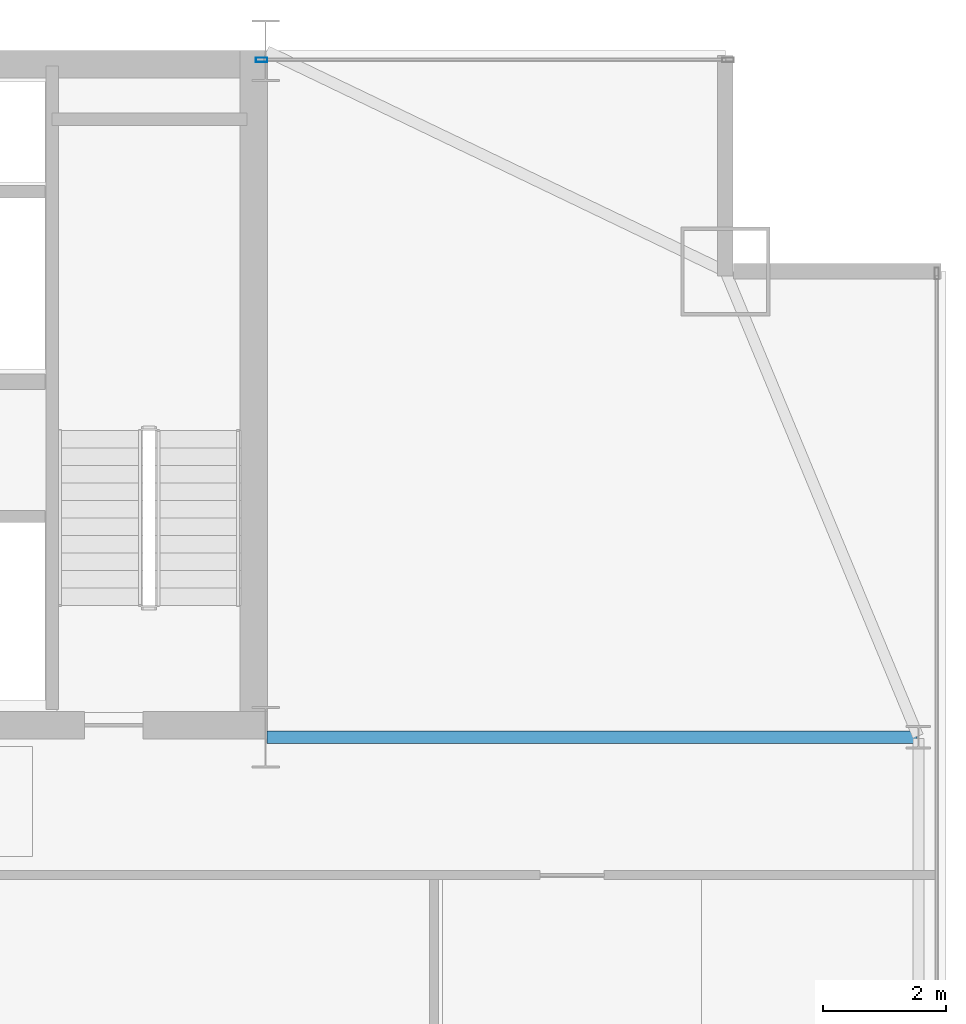
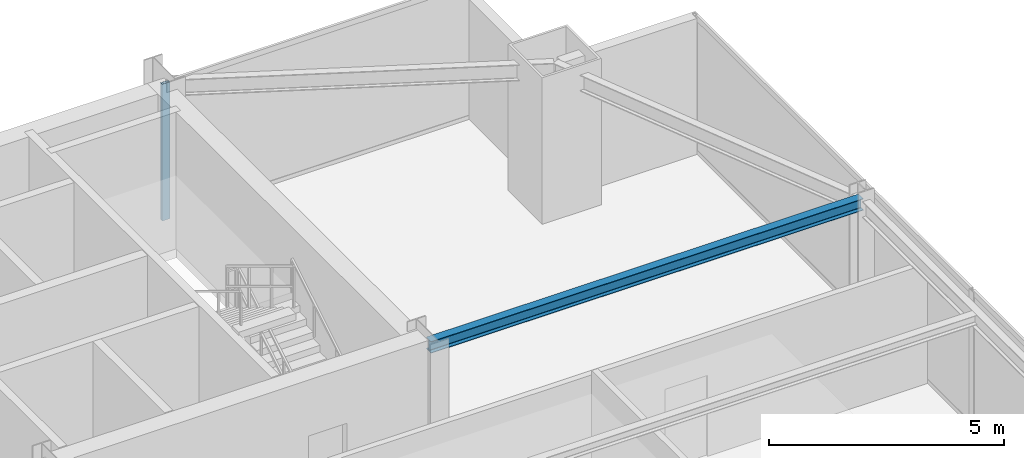
# One storey, part 24 of 37: 1 beam, 1 member, 1 element without a shape of its own.
"""IFC4 building model written with IfcOpenShell, lengths in metres."""

import ifcopenshell
import ifcopenshell.guid

model = None  # the IFC model being written
_history = None  # IfcOwnerHistory: only IFC2X3 demands one
_inside = {}  # id of a spatial element -> (the spatial element, [elements in it])
_under = {}  # id of a project, library or spatial element -> (it, [spatial elements below it])
_declared = {}  # id of a project -> (the project, [libraries it declares])
_typed = {}  # id of a type object -> (the type object, [elements of that type])
_made_of = {}  # id of a material, layer set ... -> (it, [elements and type objects made of it])


def new_model(schema):
    """Start an empty IFC model of exactly this schema.

    Asked for "IFC4X3", IfcOpenShell would pick the latest addendum, in which some entities
    have other attributes; the version numbers below select the first issue.
    IFC2X3 requires an IfcOwnerHistory on every rooted entity: one is made here for all.
    """
    global model, _history
    if schema == "IFC4X3":
        model = ifcopenshell.file(schema_version=(4, 3, 0, 0))
    else:
        model = ifcopenshell.file(schema=schema)
    _inside.clear()
    _under.clear()
    _declared.clear()
    _typed.clear()
    _made_of.clear()
    _history = None
    if model.schema == "IFC2X3":
        org = make("IfcOrganization", Name="unknown")
        user = make(
            "IfcPersonAndOrganization",
            ThePerson=make("IfcPerson", FamilyName="unknown"),
            TheOrganization=org,
        )
        app = make(
            "IfcApplication",
            ApplicationDeveloper=org,
            Version="unknown",
            ApplicationFullName="unknown",
            ApplicationIdentifier="unknown",
        )
        _history = make(
            "IfcOwnerHistory",
            OwningUser=user,
            OwningApplication=app,
            ChangeAction="ADDED",
            CreationDate=0,
        )
    return model


def make(cls, **values):
    """One entity of the class cls with the attributes given. An attribute that is None is left unset."""
    return model.create_entity(
        cls, **{name: value for name, value in values.items() if value is not None}
    )


def rooted(cls, **values):
    """An entity with a GlobalId (a new one), such as an element, a storey or a relation."""
    return make(cls, GlobalId=ifcopenshell.guid.new(), OwnerHistory=_history, **values)


def si_unit(unit_type, name, prefix=None):
    """IfcSIUnit, for example si_unit("LENGTHUNIT", "METRE", prefix="MILLI")."""
    return make("IfcSIUnit", UnitType=unit_type, Prefix=prefix, Name=name)


def assignment(units):
    """IfcUnitAssignment: the units of a project."""
    return None if units is None else make("IfcUnitAssignment", Units=units)


def point(xyz):
    """IfcCartesianPoint."""
    return None if xyz is None else make("IfcCartesianPoint", Coordinates=xyz)


def direction(xyz):
    """IfcDirection."""
    return None if xyz is None else make("IfcDirection", DirectionRatios=xyz)


def frame(location, z_axis=None, x_axis=None):
    """IfcAxis2Placement3D, a coordinate frame: its origin and axes. An axis left out is left unset."""
    return make(
        "IfcAxis2Placement3D",
        Location=point(location),
        Axis=direction(z_axis),
        RefDirection=direction(x_axis),
    )


def frame_2d(location, x_axis=None):
    """IfcAxis2Placement2D, a coordinate frame in the plane: its origin and x axis."""
    return make(
        "IfcAxis2Placement2D", Location=point(location), RefDirection=direction(x_axis)
    )


def origin():
    """The frame at (0, 0, 0) with its axes left unset."""
    return frame((0.0, 0.0, 0.0))


def origin_2d():
    """The frame at (0, 0) in the plane with its x axis left unset."""
    return frame_2d((0.0, 0.0))


def place(relative_to, where):
    """IfcLocalPlacement: puts the frame where relative to a parent placement (None: the world)."""
    return make(
        "IfcLocalPlacement", PlacementRelTo=relative_to, RelativePlacement=where
    )


def context(
    kind, dimensions, precision=None, world=None, true_north=None, identifier=None
):
    """IfcGeometricRepresentationContext, for example the 3D "Model" context."""
    return make(
        "IfcGeometricRepresentationContext",
        ContextIdentifier=identifier,
        ContextType=kind,
        CoordinateSpaceDimension=dimensions,
        Precision=precision,
        WorldCoordinateSystem=world,
        TrueNorth=true_north,
    )


def subcontext(parent, identifier, kind, view, scale=None):
    """IfcGeometricRepresentationSubContext, for example "Body" below "Model"."""
    return make(
        "IfcGeometricRepresentationSubContext",
        ContextIdentifier=identifier,
        ContextType=kind,
        ParentContext=parent,
        TargetScale=scale,
        TargetView=view,
    )


def project(units=None, contexts=None):
    """IfcProject with its units and contexts."""
    return rooted(
        "IfcProject",
        Name="project",
        RepresentationContexts=contexts,
        UnitsInContext=assignment(units),
    )


def spatial(cls, under=None, at=None, **own):
    """A site, building, storey or space (cls), placed at a placement, below another one or the project."""
    s = rooted(cls, ObjectPlacement=at, **own)
    if under is not None:
        _under.setdefault(under.id(), (under, []))[1].append(s)
    return s


def profile(cls, at=None, kind="AREA", **sizes):
    """A parametric profile (cls). Its sizes go by their IFC names, for example OverallWidth=200.0."""
    return make(cls, ProfileType=kind, Position=at, **sizes)


def hollow_rectangle(**sizes):
    """IfcRectangleHollowProfileDef."""
    return profile("IfcRectangleHollowProfileDef", **sizes)


def i_section(**sizes):
    """IfcIShapeProfileDef."""
    return profile("IfcIShapeProfileDef", **sizes)


def extrude(swept, where, along, depth):
    """IfcExtrudedAreaSolid: the profile swept, set in the frame where, extruded along a direction by depth."""
    return make(
        "IfcExtrudedAreaSolid",
        SweptArea=swept,
        Position=where,
        ExtrudedDirection=direction(along),
        Depth=depth,
    )


def shape(context_of_items, identifier, shape_type, items):
    """IfcShapeRepresentation: the items that make up one representation, for example the "Body"."""
    return make(
        "IfcShapeRepresentation",
        ContextOfItems=context_of_items,
        RepresentationIdentifier=identifier,
        RepresentationType=shape_type,
        Items=items,
    )


def source(mapping_origin, context_of_items, identifier, shape_type, items):
    """IfcRepresentationMap: a shape defined once, which mapped items show again and again."""
    return make(
        "IfcRepresentationMap",
        MappingOrigin=mapping_origin,
        MappedRepresentation=shape(context_of_items, identifier, shape_type, items),
    )


def transform(
    local_origin,
    x_axis=None,
    y_axis=None,
    z_axis=None,
    scale=None,
    scale2=None,
    scale3=None,
    uniform=True,
):
    """IfcCartesianTransformationOperator3D, or its non-uniform kind. x_axis, y_axis, z_axis: its Axis1, 2, 3."""
    if uniform:
        return make(
            "IfcCartesianTransformationOperator3D",
            Axis1=direction(x_axis),
            Axis2=direction(y_axis),
            LocalOrigin=point(local_origin),
            Scale=scale,
            Axis3=direction(z_axis),
        )
    return make(
        "IfcCartesianTransformationOperator3DnonUniform",
        Axis1=direction(x_axis),
        Axis2=direction(y_axis),
        LocalOrigin=point(local_origin),
        Scale=scale,
        Axis3=direction(z_axis),
        Scale2=scale2,
        Scale3=scale3,
    )


def mapped(mapping_source, mapping_target):
    """IfcMappedItem: shows the shape of a source again, moved by a transform."""
    return make(
        "IfcMappedItem", MappingSource=mapping_source, MappingTarget=mapping_target
    )


def material(Name=None, Category=None):
    """IfcMaterial."""
    return make("IfcMaterial", Name=Name, Category=Category)


def layer(
    of_material, thickness, ventilated=None, Name=None, Category=None, Priority=None
):
    """IfcMaterialLayer: one layer of a wall or slab, of a material (None: an air gap)."""
    return make(
        "IfcMaterialLayer",
        Material=of_material,
        LayerThickness=thickness,
        IsVentilated=ventilated,
        Name=Name,
        Category=Category,
        Priority=Priority,
    )


def layer_set(layers, Name=None):
    """IfcMaterialLayerSet."""
    return make("IfcMaterialLayerSet", MaterialLayers=layers, LayerSetName=Name)


def material_profile(
    of_material, cross_section, Name=None, Category=None, Priority=None
):
    """IfcMaterialProfile: a cross section and its material."""
    return make(
        "IfcMaterialProfile",
        Name=Name,
        Material=of_material,
        Profile=cross_section,
        Priority=Priority,
        Category=Category,
    )


def profile_set(profiles, Name=None, composite=None):
    """IfcMaterialProfileSet."""
    return make(
        "IfcMaterialProfileSet",
        Name=Name,
        MaterialProfiles=profiles,
        CompositeProfile=composite,
    )


def made_of(thing, what):
    """Note that an element or type object is made of a material, layer set ...; save() writes the relation."""
    if what is not None:
        _made_of.setdefault(what.id(), (what, []))[1].append(thing)
    return thing


def type_object(cls, material=None, **own):
    """A type object (cls), such as IfcWallType, which elements share."""
    return made_of(rooted(cls, **own), material)


def type_shapes(of_type, sources):
    """Give a type object the sources (RepresentationMaps) that its elements show as mapped items."""
    of_type.RepresentationMaps = sources


def element(
    cls,
    number,
    at=None,
    inside=None,
    cuts=None,
    type_object=None,
    material=None,
    context=None,
    identifier="Body",
    shape_type=None,
    held_by="IfcProductDefinitionShape",
    body=None,
    shapes=None,
    **own,
):
    """One element of the class cls, such as IfcWall. Its Tag is "e" and its number.

    at: its placement. inside: the storey or other place that contains it. cuts: it is an
    opening in that element (IfcRelVoidsElement). A single representation is given by context,
    identifier, shape_type and body (its items); several are given by shapes. held_by: the class
    of the entity that holds the representations. save() writes the other relations.
    """
    e = rooted(cls, Tag="e%d" % number, ObjectPlacement=at, **own)
    if body is not None:
        shapes = [shape(context, identifier, shape_type, body)]
    if shapes is not None:
        e.Representation = make(held_by, Representations=shapes)
    if inside is not None:
        _inside.setdefault(inside.id(), (inside, []))[1].append(e)
    if cuts is not None:
        rooted(
            "IfcRelVoidsElement", RelatingBuildingElement=cuts, RelatedOpeningElement=e
        )
    if type_object is not None:
        _typed.setdefault(type_object.id(), (type_object, []))[1].append(e)
    return made_of(e, material)


def aggregate(whole, parts):
    """IfcRelAggregates: a whole, such as a stair, and the parts it consists of."""
    return rooted("IfcRelAggregates", RelatingObject=whole, RelatedObjects=parts)


def save(model, path):
    """Write the relations noted so far, then the file.

    IfcRelAggregates (storeys below a building ...), IfcRelContainedInSpatialStructure (elements
    in a storey), IfcRelDefinesByType, IfcRelAssociatesMaterial and IfcRelDeclares: one each for
    every whole, place, type object, material and project.
    """
    for whole, parts in _under.values():
        aggregate(whole, parts)
    for where, things in _inside.values():
        rooted(
            "IfcRelContainedInSpatialStructure",
            RelatedElements=things,
            RelatingStructure=where,
        )
    for kind, things in _typed.values():
        rooted("IfcRelDefinesByType", RelatedObjects=things, RelatingType=kind)
    for what, things in _made_of.values():
        rooted("IfcRelAssociatesMaterial", RelatedObjects=things, RelatingMaterial=what)
    for by, libraries in _declared.values():
        rooted("IfcRelDeclares", RelatingContext=by, RelatedDefinitions=libraries)
    model.write(path)


model = new_model("IFC4")

# Units and contexts
model_context = context("Model", 3, precision=1e-05, world=origin(), true_north=direction((0.0, 1.0)))
body_context = subcontext(model_context, "Body", "Model", "MODEL_VIEW")
ifc_project = project(units=[si_unit("LENGTHUNIT", "METRE"), si_unit("AREAUNIT", "SQUARE_METRE"), si_unit("VOLUMEUNIT", "CUBIC_METRE"), si_unit("PLANEANGLEUNIT", "RADIAN"), si_unit("MASSUNIT", "GRAM", prefix="KILO")], contexts=[model_context])

# Site, building, storey
site_placement = place(None, origin())
site = spatial("IfcSite", under=ifc_project, at=site_placement, CompositionType="ELEMENT")
building_placement = place(site_placement, origin())
building = spatial("IfcBuilding", under=site, at=building_placement, Name="Varnel Quay Broadcast Tower", CompositionType="ELEMENT")
storey_placement = place(building_placement, frame((0.0, 0.0, 125.800048828125)))
storey = spatial("IfcBuildingStorey", under=building, at=storey_placement, Name="L30", CompositionType="ELEMENT", Elevation=125.800048828125)

# Beam
ifc_material_1 = material(Name="Structural Steel CSA G40.21 350W", Category="steel")
ifc_material_profile_1 = material_profile(ifc_material_1, i_section(OverallWidth=0.202880859375, OverallDepth=0.302978515625, WebThickness=0.007568359375, FlangeThickness=0.01318359375, FilletRadius=0.011962890625, at=origin_2d()), Name="W310X60")
ifc_profile_set_1 = profile_set([ifc_material_profile_1], Name="Structural Steel CSA G40.21 350W")
beam_type = type_object("IfcBeamType", Name="Beam_W310X60", PredefinedType="JOIST", material=ifc_profile_set_1)
shared_shape_1 = source(origin(), body_context, "Body", "SweptSolid", [
    extrude(i_section(OverallWidth=0.202880859375, OverallDepth=0.302978515625, WebThickness=0.007568359375, FlangeThickness=0.01318359375, FilletRadius=0.011962890625, at=origin_2d()), origin(), (0.0, 0.0, 1.0), 10.610107421875),
])
type_shapes(beam_type, [shared_shape_1])
beam_placement = place(storey_placement, frame((52.419921875, 35.60009765625, 3.3984375), z_axis=(1.0, 0.0, 0.0), x_axis=(0.0, 1.0, 0.0)))
element("IfcBeam", 1, at=beam_placement, inside=storey, type_object=beam_type, Name="L30 East Core Tie Joist", PredefinedType="JOIST", context=body_context, shape_type="MappedRepresentation", body=[
    mapped(shared_shape_1, transform((0.0, 0.0, 0.0), x_axis=(1.0, 0.0, 0.0), y_axis=(0.0, 1.0, 0.0), z_axis=(0.0, 0.0, 1.0), scale=1.0)),
])

# Curtain wall, member
ifc_material_2 = material(Name="Anodised Bronze Aluminium 6063-T6", Category="aluminium")
ifc_layer = layer(ifc_material_2, 0.18994140625, Name="Anodised Bronze Aluminium 6063-T6")
ifc_layer_set = layer_set([ifc_layer], Name="Anodised Bronze Aluminium 6063-T6")
curtain_wall_type = type_object("IfcCurtainWallType", Name="CW_LowerTower", PredefinedType="NOTDEFINED", material=ifc_layer_set)
curtain_wall_placement = place(storey_placement, origin())
curtain_wall = element("IfcCurtainWall", 2, at=curtain_wall_placement, inside=storey, type_object=curtain_wall_type, Name="L30 NE Wing Curtain Wall", PredefinedType="NOTDEFINED")
ifc_material_profile_2 = material_profile(ifc_material_2, hollow_rectangle(XDim=0.070068359375, YDim=0.18994140625, WallThickness=0.00390625, at=origin_2d()), Name="ALU70X190X4")
ifc_profile_set_2 = profile_set([ifc_material_profile_2], Name="Anodised Bronze Aluminium 6063-T6")
member_type = type_object("IfcMemberType", Name="Mull_CWS-02", PredefinedType="MULLION", material=ifc_profile_set_2)
shared_shape_2 = source(origin(), body_context, "Body", "SweptSolid", [
    extrude(hollow_rectangle(XDim=0.070068359375, YDim=0.18994140625, WallThickness=0.00390625, at=origin_2d()), origin(), (0.0, 0.0, 1.0), 3.550048828125),
])
type_shapes(member_type, [shared_shape_2])
member_placement = place(storey_placement, frame((52.3349609375, 46.64990234375, 0.0), z_axis=(0.0, 0.0, 1.0), x_axis=(0.0, 1.0, 0.0)))
member = element("IfcMember", 3, at=member_placement, type_object=member_type, Name="CWS-02 mullion 1", PredefinedType="MULLION", context=body_context, shape_type="MappedRepresentation", body=[
    mapped(shared_shape_2, transform((0.0, 0.0, 0.0), x_axis=(1.0, 0.0, 0.0), y_axis=(0.0, 1.0, 0.0), z_axis=(0.0, 0.0, 1.0), scale=1.0)),
])
aggregate(curtain_wall, [member])

save(model, "model.ifc")
